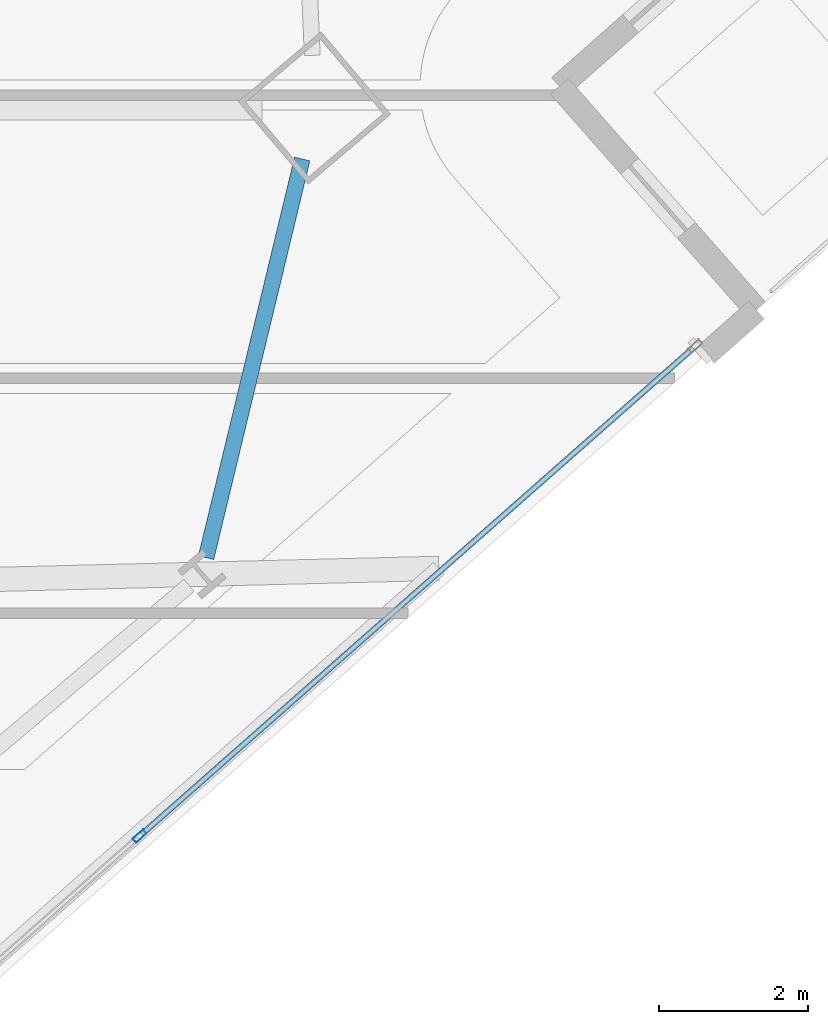
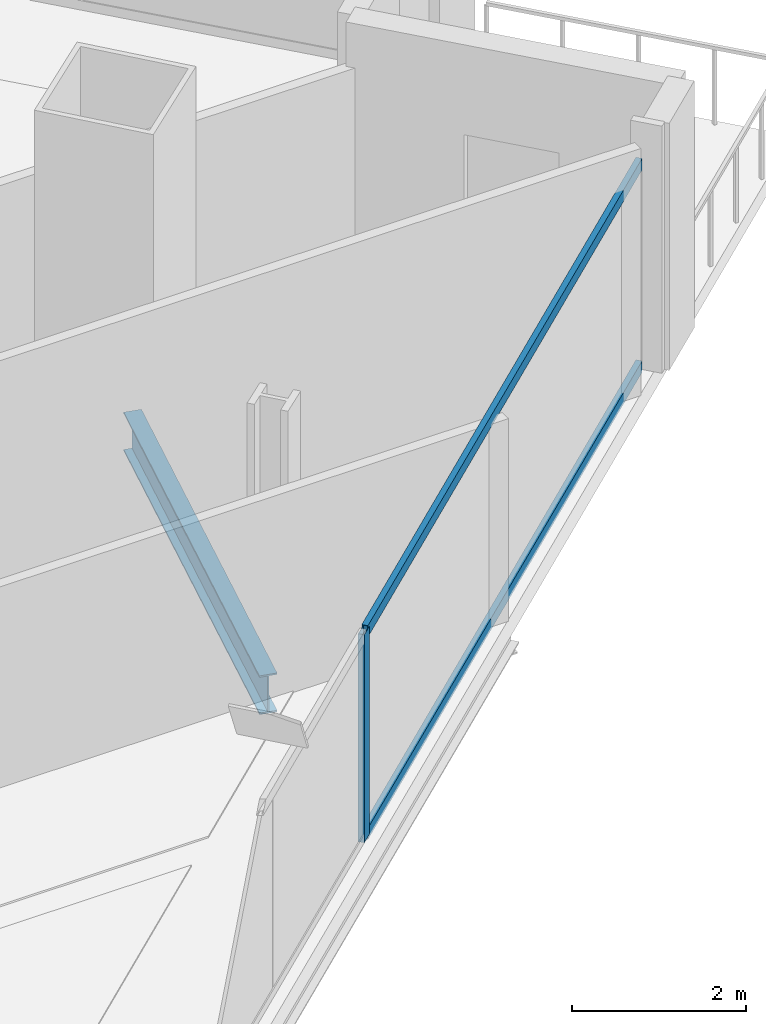
# One storey, part 11 of 34: 3 members, 1 beam, 1 element without a shape of its own.
"""IFC4 building model written with IfcOpenShell, lengths in metres."""

from ifc_helpers import new_model, si_unit, direction, frame, origin, origin_2d, place, context, subcontext, project, spatial, hollow_rectangle, i_section, extrude, material, material_profile, profile_set, type_object, element, aggregate, save


model = new_model("IFC4")

# Units and contexts
model_context = context("Model", 3, precision=1e-05, world=origin(), true_north=direction((0.0, 1.0)))
body_context = subcontext(model_context, "Body", "Model", "MODEL_VIEW")
ifc_project = project(units=[si_unit("LENGTHUNIT", "METRE"), si_unit("AREAUNIT", "SQUARE_METRE"), si_unit("VOLUMEUNIT", "CUBIC_METRE"), si_unit("PLANEANGLEUNIT", "RADIAN"), si_unit("MASSUNIT", "GRAM", prefix="KILO")], contexts=[model_context])

# Site, building, storey
site_placement = place(None, origin())
site = spatial("IfcSite", under=ifc_project, at=site_placement, CompositionType="ELEMENT")
building_placement = place(site_placement, origin())
building = spatial("IfcBuilding", under=site, at=building_placement, Name="Haldenkirk Collegiate Tower", CompositionType="ELEMENT")
storey_placement = place(building_placement, frame((0.0, 0.0, 166.949951171875)))
storey = spatial("IfcBuildingStorey", under=building, at=storey_placement, Name="L41", CompositionType="ELEMENT", Elevation=166.949951171875)

# Beam
ifc_material_1 = material(Name="Steel ASTM A992 Grade 50", Category="steel")
ifc_material_profile_1 = material_profile(ifc_material_1, i_section(OverallWidth=0.2119140625, OverallDepth=0.5439453125, WebThickness=0.01318359375, FlangeThickness=0.021240234375, at=origin_2d()), Name="W21X83")
ifc_profile_set_1 = profile_set([ifc_material_profile_1], Name="Steel ASTM A992 Grade 50")
beam_type = type_object("IfcBeamType", Name="BM-SPANDREL-W21X83", PredefinedType="SPANDREL", material=ifc_profile_set_1)
beam_placement = place(storey_placement, frame((60.010009765625, 18.595458984375, -0.56201171875), z_axis=(0.23444531808, 0.972129308698, 0.0), x_axis=(-0.972129308698, 0.23444531808, 0.0)))
element("IfcBeam", 1, at=beam_placement, inside=storey, type_object=beam_type, Name="L41 perimeter spandrel beam 04", PredefinedType="SPANDREL", context=body_context, shape_type="SweptSolid", body=[
    extrude(i_section(OverallWidth=0.2119140625, OverallDepth=0.5439453125, WebThickness=0.01318359375, FlangeThickness=0.021240234375, at=origin_2d()), origin(), (0.0, 0.0, 1.0), 5.50146484375),
])

# Curtain wall, members
ifc_material_2 = material(Name="Anodised architectural bronze aluminium", Category="aluminium")
curtain_wall_type = type_object("IfcCurtainWallType", Name="CW-SYS2-CONCAVE", PredefinedType="USERDEFINED", material=ifc_material_2)
curtain_wall_placement = place(storey_placement, origin())
curtain_wall = element("IfcCurtainWall", 2, at=curtain_wall_placement, inside=storey, type_object=curtain_wall_type, Name="L41 South concave recessed bronze-anodised curtain wall", ObjectType="UNITISED CURTAIN WALL", PredefinedType="USERDEFINED")
ifc_material_profile_2 = material_profile(ifc_material_2, hollow_rectangle(XDim=0.074951171875, YDim=0.18994140625, WallThickness=0.0048828125, at=origin_2d()), Name="CW-MUL-02")
ifc_profile_set_2 = profile_set([ifc_material_profile_2], Name="Anodised architectural bronze aluminium")
member_type_1 = type_object("IfcMemberType", Name="CW-MUL-02", PredefinedType="MULLION", material=ifc_profile_set_2)
member_1_placement = place(storey_placement, frame((59.119140625, 14.860107421875, 0.0), z_axis=(0.0, 0.0, 1.0), x_axis=(0.661310403519, -0.750112358382, 0.0)))
member_1 = element("IfcMember", 3, at=member_1_placement, type_object=member_type_1, Name="CW-02 mullion 2", PredefinedType="MULLION", context=body_context, shape_type="SweptSolid", body=[
    extrude(hollow_rectangle(XDim=0.074951171875, YDim=0.18994140625, WallThickness=0.0048828125, at=origin_2d()), origin(), (0.0, 0.0, 1.0), 2.9111328125),
])
ifc_material_profile_3 = material_profile(ifc_material_2, hollow_rectangle(XDim=0.074951171875, YDim=0.159912109375, WallThickness=0.0048828125, at=origin_2d()), Name="CW-TRN-02")
ifc_profile_set_3 = profile_set([ifc_material_profile_3], Name="Anodised architectural bronze aluminium")
member_type_2 = type_object("IfcMemberType", Name="CW-TRN-02", PredefinedType="USERDEFINED", material=ifc_profile_set_3)
member_2_placement = place(storey_placement, frame((66.545166015625, 21.4072265625, 0.03759765625), z_axis=(-0.750108694573, -0.661314559287, 0.0), x_axis=(0.661314559287, -0.750108694573, 0.0)))
member_2 = element("IfcMember", 4, at=member_2_placement, type_object=member_type_2, Name="CW-02 transom 1.1", ObjectType="TRANSOM", PredefinedType="USERDEFINED", context=body_context, shape_type="SweptSolid", body=[
    extrude(hollow_rectangle(XDim=0.074951171875, YDim=0.159912109375, WallThickness=0.0048828125, at=origin_2d()), origin(), (0.0, 0.0, 1.0), 9.862548828125),
])
member_3_placement = place(storey_placement, frame((66.545166015625, 21.4072265625, 2.87353515625), z_axis=(-0.750108694573, -0.661314559287, 0.0), x_axis=(0.661314559287, -0.750108694573, 0.0)))
member_3 = element("IfcMember", 5, at=member_3_placement, type_object=member_type_2, Name="CW-02 transom 1.2", ObjectType="TRANSOM", PredefinedType="USERDEFINED", context=body_context, shape_type="SweptSolid", body=[
    extrude(hollow_rectangle(XDim=0.074951171875, YDim=0.159912109375, WallThickness=0.0048828125, at=origin_2d()), origin(), (0.0, 0.0, 1.0), 9.862548828125),
])
aggregate(curtain_wall, [member_1, member_2, member_3])

save(model, "model.ifc")
